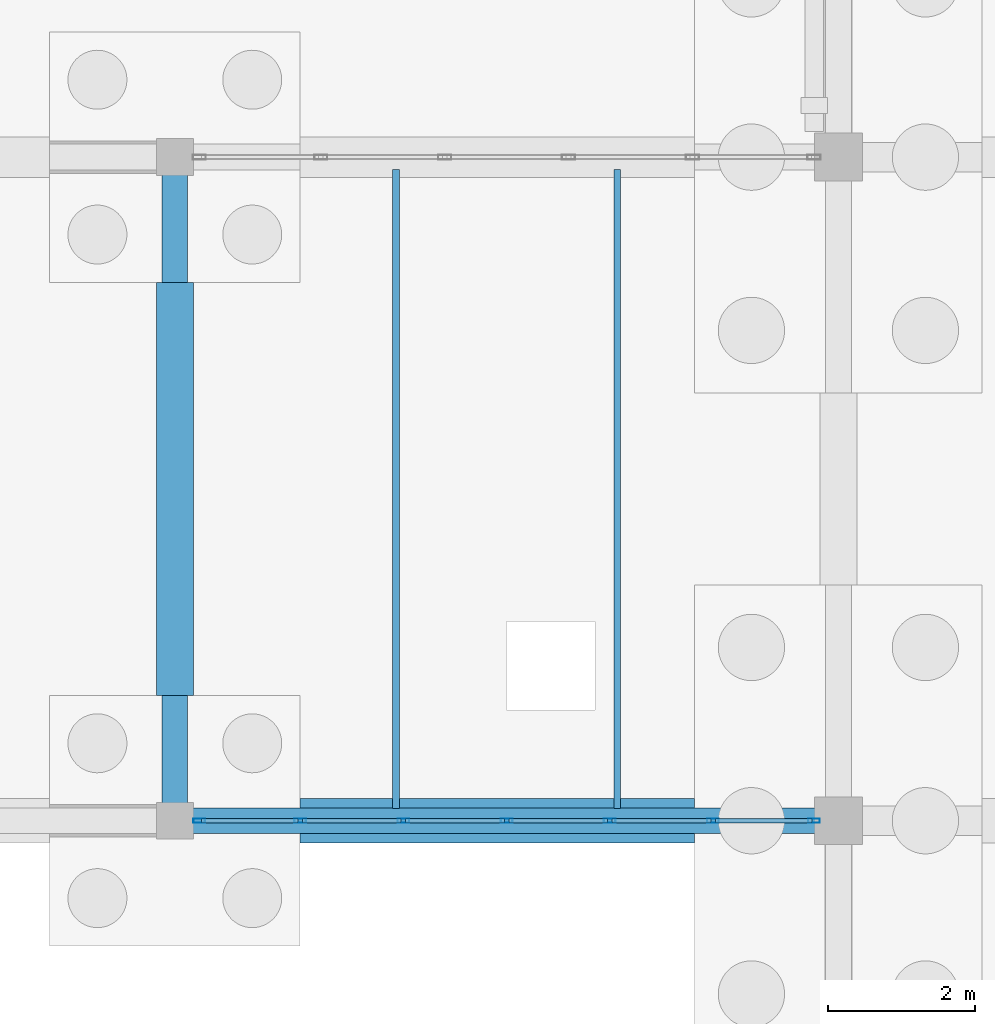
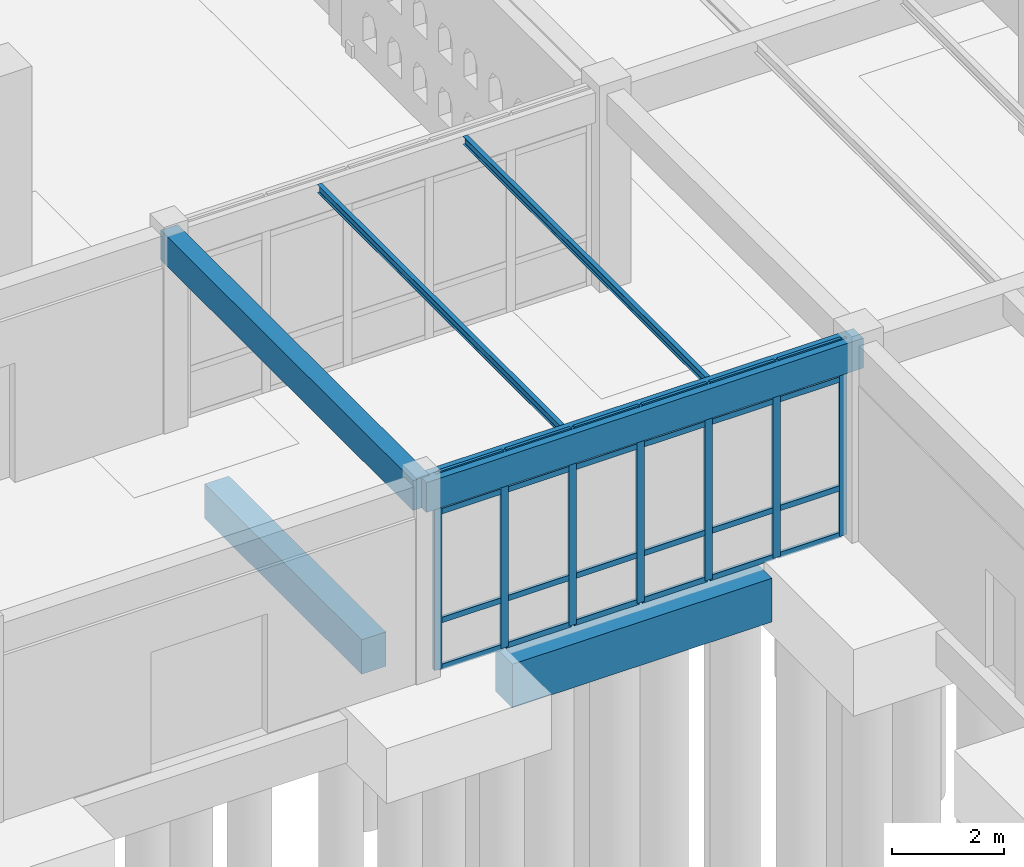
# One storey, part 110 of 186: 31 members, 6 beams, 1 element without a shape of its own.
"""IFC4 building model written with IfcOpenShell, lengths in metres."""

from ifc_helpers import new_model, si_unit, direction, frame, origin, origin_2d, place, context, subcontext, project, spatial, rectangle, hollow_rectangle, i_section, extrude, material, layer, layer_set, material_profile, profile_set, type_object, element, aggregate, save


model = new_model("IFC4")

# Units and contexts
model_context = context("Model", 3, precision=1e-05, world=origin(), true_north=direction((0.0, 1.0)))
body_context = subcontext(model_context, "Body", "Model", "MODEL_VIEW")
ifc_project = project(units=[si_unit("LENGTHUNIT", "METRE"), si_unit("AREAUNIT", "SQUARE_METRE"), si_unit("VOLUMEUNIT", "CUBIC_METRE"), si_unit("PLANEANGLEUNIT", "RADIAN"), si_unit("MASSUNIT", "GRAM", prefix="KILO")], contexts=[model_context])

# Site, building, storey
site_placement = place(None, origin())
site = spatial("IfcSite", under=ifc_project, at=site_placement, CompositionType="ELEMENT")
building_placement = place(site_placement, origin())
building = spatial("IfcBuilding", under=site, at=building_placement, Name="Ornek Quay Market", CompositionType="ELEMENT")
storey_placement = place(building_placement, origin())
storey = spatial("IfcBuildingStorey", under=building, at=storey_placement, Name="L00", CompositionType="ELEMENT", Elevation=0.0)

# Beams
ifc_material_1 = material(Name="Concrete C35/45", Category="concrete")
ifc_material_profile_1 = material_profile(ifc_material_1, rectangle(XDim=0.35009765625, YDim=0.64990234375, at=origin_2d()), Name="RC 350x650", Category="concrete")
ifc_profile_set_1 = profile_set([ifc_material_profile_1], Name="Concrete C35/45")
beam_type_1 = type_object("IfcBeamType", Name="BM-CONC-350x650", PredefinedType="BEAM", material=ifc_profile_set_1)
for number, where, z_axis, x_axis, name in (
    (1, (144.0, 20.0, 3.945068359375), (1.0, 0.0, 0.0), (0.0, 1.0, 0.0), "Primary beam B-CN1-089"),
    (2, (144.0, 20.0, 3.945068359375), (0.0, 1.0, 0.0), (-1.0, 0.0, 0.0), "Primary beam B-CN1-095"),
):
    element("IfcBeam", number, at=place(storey_placement, frame(where, z_axis=z_axis, x_axis=x_axis)), inside=storey, type_object=beam_type_1, Name=name, PredefinedType="BEAM", context=body_context, shape_type="SweptSolid", body=[
        extrude(rectangle(XDim=0.35009765625, YDim=0.64990234375, at=origin_2d()), origin(), (0.0, 0.0, 1.0), 9.0),
    ])
ifc_material_profile_2 = material_profile(ifc_material_1, rectangle(XDim=0.5, YDim=0.75, at=origin_2d()), Name="RC 500x750", Category="concrete")
ifc_profile_set_2 = profile_set([ifc_material_profile_2], Name="Concrete C35/45")
beam_type_2 = type_object("IfcBeamType", Name="BM-GB-500x750", PredefinedType="BEAM", material=ifc_profile_set_2)
beam_1_placement = place(storey_placement, frame((144.0, 21.699951171875, -0.574951171875), z_axis=(0.0, 1.0, 0.0), x_axis=(-1.0, 0.0, 0.0)))
element("IfcBeam", 3, at=beam_1_placement, inside=storey, type_object=beam_type_2, Name="Ground tie beam GB-384", PredefinedType="BEAM", context=body_context, shape_type="SweptSolid", body=[
    extrude(rectangle(XDim=0.5, YDim=0.75, at=origin_2d()), origin(), (0.0, 0.0, 1.0), 5.60009765625),
])
ifc_material_profile_3 = material_profile(ifc_material_1, rectangle(XDim=0.60009765625, YDim=0.949951171875, at=origin_2d()), Name="RC 600x950", Category="concrete")
ifc_profile_set_3 = profile_set([ifc_material_profile_3], Name="Concrete C35/45")
beam_type_3 = type_object("IfcBeamType", Name="BM-GB-600x950", PredefinedType="BEAM", material=ifc_profile_set_3)
beam_2_placement = place(storey_placement, frame((145.699951171875, 20.0, -0.675048828125), z_axis=(1.0, 0.0, 0.0), x_axis=(0.0, 1.0, 0.0)))
element("IfcBeam", 4, at=beam_2_placement, inside=storey, type_object=beam_type_3, Name="Ground tie beam GB-309", PredefinedType="BEAM", context=body_context, shape_type="SweptSolid", body=[
    extrude(rectangle(XDim=0.60009765625, YDim=0.949951171875, at=origin_2d()), origin(), (0.0, 0.0, 1.0), 5.35009765625),
])
ifc_material_2 = material(Name="Steel S355", Category="steel")
ifc_material_profile_4 = material_profile(ifc_material_2, i_section(OverallWidth=0.091064453125, OverallDepth=0.179931640625, WebThickness=0.00537109375, FlangeThickness=0.008056640625, FilletRadius=0.009033203125, at=origin_2d()), Name="IPE 180", Category="steel")
ifc_profile_set_4 = profile_set([ifc_material_profile_4], Name="Steel S355")
beam_type_4 = type_object("IfcBeamType", Name="BM-STL-IPE180", PredefinedType="JOIST", material=ifc_profile_set_4)
for number, where, z_axis, x_axis, name in (
    (5, (147.0, 20.1669921875, 4.179931640625), (0.0, 1.0, 0.0), (-1.0, 0.0, 0.0), "Secondary joist SB-01-015"),
    (6, (150.0, 20.1669921875, 4.179931640625), (0.0, 1.0, 0.0), (-1.0, 0.0, 0.0), "Secondary joist SB-01-016"),
):
    element("IfcBeam", number, at=place(storey_placement, frame(where, z_axis=z_axis, x_axis=x_axis)), inside=storey, type_object=beam_type_4, Name=name, PredefinedType="JOIST", context=body_context, shape_type="SweptSolid", body=[
        extrude(i_section(OverallWidth=0.091064453125, OverallDepth=0.179931640625, WebThickness=0.00537109375, FlangeThickness=0.008056640625, FilletRadius=0.009033203125, at=origin_2d()), origin(), (0.0, 0.0, 1.0), 8.666015625),
    ])

# Curtain wall, members
ifc_material_3 = material(Name="Anodised bronze aluminium and triple low-e glass", Category="aluminium")
ifc_layer = layer(ifc_material_3, 0.179931640625, Name="Anodised bronze aluminium and triple low-e glass", Category="aluminium")
ifc_layer_set = layer_set([ifc_layer], Name="Anodised bronze aluminium and triple low-e glass")
curtain_wall_type = type_object("IfcCurtainWallType", Name="CW-CONC-MOD1500", PredefinedType="USERDEFINED", material=ifc_layer_set)
curtain_wall_placement = place(storey_placement, origin())
curtain_wall = element("IfcCurtainWall", 7, at=curtain_wall_placement, inside=storey, type_object=curtain_wall_type, Name="Curtain wall CW-032", ObjectType="CURTAIN WALL", PredefinedType="USERDEFINED")
ifc_material_4 = material(Name="Anodised aluminium 6063-T6", Category="aluminium")
ifc_material_profile_5 = material_profile(ifc_material_4, hollow_rectangle(XDim=0.06005859375, YDim=0.159912109375, WallThickness=0.00390625, at=origin_2d()), Name="CW-MUL-60x160", Category="aluminium")
ifc_profile_set_5 = profile_set([ifc_material_profile_5], Name="Anodised aluminium 6063-T6")
member_type_1 = type_object("IfcMemberType", Name="CW-MUL-60x160", PredefinedType="MULLION", material=ifc_profile_set_5)
member_1_placement = place(storey_placement, frame((144.330078125, 20.0, 0.0), z_axis=(0.0, 0.0, 1.0), x_axis=(0.0, 1.0, 0.0)))
member_1 = element("IfcMember", 8, at=member_1_placement, type_object=member_type_1, Name="CW-032 mullion 1", PredefinedType="MULLION", context=body_context, shape_type="SweptSolid", body=[
    extrude(hollow_rectangle(XDim=0.06005859375, YDim=0.159912109375, WallThickness=0.00390625, at=origin_2d()), origin(), (0.0, 0.0, 1.0), 4.27001953125),
])
member_2_placement = place(storey_placement, frame((145.699951171875, 20.0, 0.0), z_axis=(0.0, 0.0, 1.0), x_axis=(0.0, 1.0, 0.0)))
member_2 = element("IfcMember", 9, at=member_2_placement, type_object=member_type_1, Name="CW-032 mullion 2", PredefinedType="MULLION", context=body_context, shape_type="SweptSolid", body=[
    extrude(hollow_rectangle(XDim=0.06005859375, YDim=0.159912109375, WallThickness=0.00390625, at=origin_2d()), origin(), (0.0, 0.0, 1.0), 4.27001953125),
])
member_3_placement = place(storey_placement, frame((147.10009765625, 20.0, 0.0), z_axis=(0.0, 0.0, 1.0), x_axis=(0.0, 1.0, 0.0)))
member_3 = element("IfcMember", 10, at=member_3_placement, type_object=member_type_1, Name="CW-032 mullion 3", PredefinedType="MULLION", context=body_context, shape_type="SweptSolid", body=[
    extrude(hollow_rectangle(XDim=0.06005859375, YDim=0.159912109375, WallThickness=0.00390625, at=origin_2d()), origin(), (0.0, 0.0, 1.0), 4.27001953125),
])
member_4_placement = place(storey_placement, frame((148.5, 20.0, 0.0), z_axis=(0.0, 0.0, 1.0), x_axis=(0.0, 1.0, 0.0)))
member_4 = element("IfcMember", 11, at=member_4_placement, type_object=member_type_1, Name="CW-032 mullion 4", PredefinedType="MULLION", context=body_context, shape_type="SweptSolid", body=[
    extrude(hollow_rectangle(XDim=0.06005859375, YDim=0.159912109375, WallThickness=0.00390625, at=origin_2d()), origin(), (0.0, 0.0, 1.0), 4.27001953125),
])
member_5_placement = place(storey_placement, frame((149.89990234375, 20.0, 0.0), z_axis=(0.0, 0.0, 1.0), x_axis=(0.0, 1.0, 0.0)))
member_5 = element("IfcMember", 12, at=member_5_placement, type_object=member_type_1, Name="CW-032 mullion 5", PredefinedType="MULLION", context=body_context, shape_type="SweptSolid", body=[
    extrude(hollow_rectangle(XDim=0.06005859375, YDim=0.159912109375, WallThickness=0.00390625, at=origin_2d()), origin(), (0.0, 0.0, 1.0), 4.27001953125),
])
member_6_placement = place(storey_placement, frame((151.300048828125, 20.0, 0.0), z_axis=(0.0, 0.0, 1.0), x_axis=(0.0, 1.0, 0.0)))
member_6 = element("IfcMember", 13, at=member_6_placement, type_object=member_type_1, Name="CW-032 mullion 6", PredefinedType="MULLION", context=body_context, shape_type="SweptSolid", body=[
    extrude(hollow_rectangle(XDim=0.06005859375, YDim=0.159912109375, WallThickness=0.00390625, at=origin_2d()), origin(), (0.0, 0.0, 1.0), 4.27001953125),
])
member_7_placement = place(storey_placement, frame((152.669921875, 20.0, 0.0), z_axis=(0.0, 0.0, 1.0), x_axis=(0.0, 1.0, 0.0)))
member_7 = element("IfcMember", 14, at=member_7_placement, type_object=member_type_1, Name="CW-032 mullion 7", PredefinedType="MULLION", context=body_context, shape_type="SweptSolid", body=[
    extrude(hollow_rectangle(XDim=0.06005859375, YDim=0.159912109375, WallThickness=0.00390625, at=origin_2d()), origin(), (0.0, 0.0, 1.0), 4.27001953125),
])
ifc_material_profile_6 = material_profile(ifc_material_4, hollow_rectangle(XDim=0.06005859375, YDim=0.1201171875, WallThickness=0.00390625, at=origin_2d()), Name="CW-TRN-60x120", Category="aluminium")
ifc_profile_set_6 = profile_set([ifc_material_profile_6], Name="Anodised aluminium 6063-T6")
member_type_2 = type_object("IfcMemberType", Name="CW-TRN-60x120", PredefinedType="USERDEFINED", material=ifc_profile_set_6)
member_8_placement = place(storey_placement, frame((144.360107421875, 20.0, 0.030029296875), z_axis=(1.0, 0.0, 0.0), x_axis=(0.0, 1.0, 0.0)))
member_8 = element("IfcMember", 15, at=member_8_placement, type_object=member_type_2, Name="CW-032 transom 1.1", ObjectType="TRANSOM", PredefinedType="USERDEFINED", context=body_context, shape_type="SweptSolid", body=[
    extrude(hollow_rectangle(XDim=0.06005859375, YDim=0.1201171875, WallThickness=0.00390625, at=origin_2d()), origin(), (0.0, 0.0, 1.0), 1.309814453125),
])
member_9_placement = place(storey_placement, frame((144.360107421875, 20.0, 1.050048828125), z_axis=(1.0, 0.0, 0.0), x_axis=(0.0, 1.0, 0.0)))
member_9 = element("IfcMember", 16, at=member_9_placement, type_object=member_type_2, Name="CW-032 transom 1.2", ObjectType="TRANSOM", PredefinedType="USERDEFINED", context=body_context, shape_type="SweptSolid", body=[
    extrude(hollow_rectangle(XDim=0.06005859375, YDim=0.1201171875, WallThickness=0.00390625, at=origin_2d()), origin(), (0.0, 0.0, 1.0), 1.309814453125),
])
member_10_placement = place(storey_placement, frame((144.360107421875, 20.0, 3.419921875), z_axis=(1.0, 0.0, 0.0), x_axis=(0.0, 1.0, 0.0)))
member_10 = element("IfcMember", 17, at=member_10_placement, type_object=member_type_2, Name="CW-032 transom 1.3", ObjectType="TRANSOM", PredefinedType="USERDEFINED", context=body_context, shape_type="SweptSolid", body=[
    extrude(hollow_rectangle(XDim=0.06005859375, YDim=0.1201171875, WallThickness=0.00390625, at=origin_2d()), origin(), (0.0, 0.0, 1.0), 1.309814453125),
])
member_11_placement = place(storey_placement, frame((144.360107421875, 20.0, 4.239990234375), z_axis=(1.0, 0.0, 0.0), x_axis=(0.0, 1.0, 0.0)))
member_11 = element("IfcMember", 18, at=member_11_placement, type_object=member_type_2, Name="CW-032 transom 1.4", ObjectType="TRANSOM", PredefinedType="USERDEFINED", context=body_context, shape_type="SweptSolid", body=[
    extrude(hollow_rectangle(XDim=0.06005859375, YDim=0.1201171875, WallThickness=0.00390625, at=origin_2d()), origin(), (0.0, 0.0, 1.0), 1.309814453125),
])
member_12_placement = place(storey_placement, frame((145.72998046875, 20.0, 0.030029296875), z_axis=(1.0, 0.0, 0.0), x_axis=(0.0, 1.0, 0.0)))
member_12 = element("IfcMember", 19, at=member_12_placement, type_object=member_type_2, Name="CW-032 transom 2.1", ObjectType="TRANSOM", PredefinedType="USERDEFINED", context=body_context, shape_type="SweptSolid", body=[
    extrude(hollow_rectangle(XDim=0.06005859375, YDim=0.1201171875, WallThickness=0.00390625, at=origin_2d()), origin(), (0.0, 0.0, 1.0), 1.340087890625),
])
member_13_placement = place(storey_placement, frame((145.72998046875, 20.0, 1.050048828125), z_axis=(1.0, 0.0, 0.0), x_axis=(0.0, 1.0, 0.0)))
member_13 = element("IfcMember", 20, at=member_13_placement, type_object=member_type_2, Name="CW-032 transom 2.2", ObjectType="TRANSOM", PredefinedType="USERDEFINED", context=body_context, shape_type="SweptSolid", body=[
    extrude(hollow_rectangle(XDim=0.06005859375, YDim=0.1201171875, WallThickness=0.00390625, at=origin_2d()), origin(), (0.0, 0.0, 1.0), 1.340087890625),
])
member_14_placement = place(storey_placement, frame((145.72998046875, 20.0, 3.419921875), z_axis=(1.0, 0.0, 0.0), x_axis=(0.0, 1.0, 0.0)))
member_14 = element("IfcMember", 21, at=member_14_placement, type_object=member_type_2, Name="CW-032 transom 2.3", ObjectType="TRANSOM", PredefinedType="USERDEFINED", context=body_context, shape_type="SweptSolid", body=[
    extrude(hollow_rectangle(XDim=0.06005859375, YDim=0.1201171875, WallThickness=0.00390625, at=origin_2d()), origin(), (0.0, 0.0, 1.0), 1.340087890625),
])
member_15_placement = place(storey_placement, frame((145.72998046875, 20.0, 4.239990234375), z_axis=(1.0, 0.0, 0.0), x_axis=(0.0, 1.0, 0.0)))
member_15 = element("IfcMember", 22, at=member_15_placement, type_object=member_type_2, Name="CW-032 transom 2.4", ObjectType="TRANSOM", PredefinedType="USERDEFINED", context=body_context, shape_type="SweptSolid", body=[
    extrude(hollow_rectangle(XDim=0.06005859375, YDim=0.1201171875, WallThickness=0.00390625, at=origin_2d()), origin(), (0.0, 0.0, 1.0), 1.340087890625),
])
member_16_placement = place(storey_placement, frame((147.1298828125, 20.0, 0.030029296875), z_axis=(1.0, 0.0, 0.0), x_axis=(0.0, 1.0, 0.0)))
member_16 = element("IfcMember", 23, at=member_16_placement, type_object=member_type_2, Name="CW-032 transom 3.1", ObjectType="TRANSOM", PredefinedType="USERDEFINED", context=body_context, shape_type="SweptSolid", body=[
    extrude(hollow_rectangle(XDim=0.06005859375, YDim=0.1201171875, WallThickness=0.00390625, at=origin_2d()), origin(), (0.0, 0.0, 1.0), 1.340087890625),
])
member_17_placement = place(storey_placement, frame((147.1298828125, 20.0, 1.050048828125), z_axis=(1.0, 0.0, 0.0), x_axis=(0.0, 1.0, 0.0)))
member_17 = element("IfcMember", 24, at=member_17_placement, type_object=member_type_2, Name="CW-032 transom 3.2", ObjectType="TRANSOM", PredefinedType="USERDEFINED", context=body_context, shape_type="SweptSolid", body=[
    extrude(hollow_rectangle(XDim=0.06005859375, YDim=0.1201171875, WallThickness=0.00390625, at=origin_2d()), origin(), (0.0, 0.0, 1.0), 1.340087890625),
])
member_18_placement = place(storey_placement, frame((147.1298828125, 20.0, 3.419921875), z_axis=(1.0, 0.0, 0.0), x_axis=(0.0, 1.0, 0.0)))
member_18 = element("IfcMember", 25, at=member_18_placement, type_object=member_type_2, Name="CW-032 transom 3.3", ObjectType="TRANSOM", PredefinedType="USERDEFINED", context=body_context, shape_type="SweptSolid", body=[
    extrude(hollow_rectangle(XDim=0.06005859375, YDim=0.1201171875, WallThickness=0.00390625, at=origin_2d()), origin(), (0.0, 0.0, 1.0), 1.340087890625),
])
member_19_placement = place(storey_placement, frame((147.1298828125, 20.0, 4.239990234375), z_axis=(1.0, 0.0, 0.0), x_axis=(0.0, 1.0, 0.0)))
member_19 = element("IfcMember", 26, at=member_19_placement, type_object=member_type_2, Name="CW-032 transom 3.4", ObjectType="TRANSOM", PredefinedType="USERDEFINED", context=body_context, shape_type="SweptSolid", body=[
    extrude(hollow_rectangle(XDim=0.06005859375, YDim=0.1201171875, WallThickness=0.00390625, at=origin_2d()), origin(), (0.0, 0.0, 1.0), 1.340087890625),
])
member_20_placement = place(storey_placement, frame((148.530029296875, 20.0, 0.030029296875), z_axis=(1.0, 0.0, 0.0), x_axis=(0.0, 1.0, 0.0)))
member_20 = element("IfcMember", 27, at=member_20_placement, type_object=member_type_2, Name="CW-032 transom 4.1", ObjectType="TRANSOM", PredefinedType="USERDEFINED", context=body_context, shape_type="SweptSolid", body=[
    extrude(hollow_rectangle(XDim=0.06005859375, YDim=0.1201171875, WallThickness=0.00390625, at=origin_2d()), origin(), (0.0, 0.0, 1.0), 1.340087890625),
])
member_21_placement = place(storey_placement, frame((148.530029296875, 20.0, 1.050048828125), z_axis=(1.0, 0.0, 0.0), x_axis=(0.0, 1.0, 0.0)))
member_21 = element("IfcMember", 28, at=member_21_placement, type_object=member_type_2, Name="CW-032 transom 4.2", ObjectType="TRANSOM", PredefinedType="USERDEFINED", context=body_context, shape_type="SweptSolid", body=[
    extrude(hollow_rectangle(XDim=0.06005859375, YDim=0.1201171875, WallThickness=0.00390625, at=origin_2d()), origin(), (0.0, 0.0, 1.0), 1.340087890625),
])
member_22_placement = place(storey_placement, frame((148.530029296875, 20.0, 3.419921875), z_axis=(1.0, 0.0, 0.0), x_axis=(0.0, 1.0, 0.0)))
member_22 = element("IfcMember", 29, at=member_22_placement, type_object=member_type_2, Name="CW-032 transom 4.3", ObjectType="TRANSOM", PredefinedType="USERDEFINED", context=body_context, shape_type="SweptSolid", body=[
    extrude(hollow_rectangle(XDim=0.06005859375, YDim=0.1201171875, WallThickness=0.00390625, at=origin_2d()), origin(), (0.0, 0.0, 1.0), 1.340087890625),
])
member_23_placement = place(storey_placement, frame((148.530029296875, 20.0, 4.239990234375), z_axis=(1.0, 0.0, 0.0), x_axis=(0.0, 1.0, 0.0)))
member_23 = element("IfcMember", 30, at=member_23_placement, type_object=member_type_2, Name="CW-032 transom 4.4", ObjectType="TRANSOM", PredefinedType="USERDEFINED", context=body_context, shape_type="SweptSolid", body=[
    extrude(hollow_rectangle(XDim=0.06005859375, YDim=0.1201171875, WallThickness=0.00390625, at=origin_2d()), origin(), (0.0, 0.0, 1.0), 1.340087890625),
])
member_24_placement = place(storey_placement, frame((149.929931640625, 20.0, 0.030029296875), z_axis=(1.0, 0.0, 0.0), x_axis=(0.0, 1.0, 0.0)))
member_24 = element("IfcMember", 31, at=member_24_placement, type_object=member_type_2, Name="CW-032 transom 5.1", ObjectType="TRANSOM", PredefinedType="USERDEFINED", context=body_context, shape_type="SweptSolid", body=[
    extrude(hollow_rectangle(XDim=0.06005859375, YDim=0.1201171875, WallThickness=0.00390625, at=origin_2d()), origin(), (0.0, 0.0, 1.0), 1.340087890625),
])
member_25_placement = place(storey_placement, frame((149.929931640625, 20.0, 1.050048828125), z_axis=(1.0, 0.0, 0.0), x_axis=(0.0, 1.0, 0.0)))
member_25 = element("IfcMember", 32, at=member_25_placement, type_object=member_type_2, Name="CW-032 transom 5.2", ObjectType="TRANSOM", PredefinedType="USERDEFINED", context=body_context, shape_type="SweptSolid", body=[
    extrude(hollow_rectangle(XDim=0.06005859375, YDim=0.1201171875, WallThickness=0.00390625, at=origin_2d()), origin(), (0.0, 0.0, 1.0), 1.340087890625),
])
member_26_placement = place(storey_placement, frame((149.929931640625, 20.0, 3.419921875), z_axis=(1.0, 0.0, 0.0), x_axis=(0.0, 1.0, 0.0)))
member_26 = element("IfcMember", 33, at=member_26_placement, type_object=member_type_2, Name="CW-032 transom 5.3", ObjectType="TRANSOM", PredefinedType="USERDEFINED", context=body_context, shape_type="SweptSolid", body=[
    extrude(hollow_rectangle(XDim=0.06005859375, YDim=0.1201171875, WallThickness=0.00390625, at=origin_2d()), origin(), (0.0, 0.0, 1.0), 1.340087890625),
])
member_27_placement = place(storey_placement, frame((149.929931640625, 20.0, 4.239990234375), z_axis=(1.0, 0.0, 0.0), x_axis=(0.0, 1.0, 0.0)))
member_27 = element("IfcMember", 34, at=member_27_placement, type_object=member_type_2, Name="CW-032 transom 5.4", ObjectType="TRANSOM", PredefinedType="USERDEFINED", context=body_context, shape_type="SweptSolid", body=[
    extrude(hollow_rectangle(XDim=0.06005859375, YDim=0.1201171875, WallThickness=0.00390625, at=origin_2d()), origin(), (0.0, 0.0, 1.0), 1.340087890625),
])
member_28_placement = place(storey_placement, frame((151.330078125, 20.0, 0.030029296875), z_axis=(1.0, 0.0, 0.0), x_axis=(0.0, 1.0, 0.0)))
member_28 = element("IfcMember", 35, at=member_28_placement, type_object=member_type_2, Name="CW-032 transom 6.1", ObjectType="TRANSOM", PredefinedType="USERDEFINED", context=body_context, shape_type="SweptSolid", body=[
    extrude(hollow_rectangle(XDim=0.06005859375, YDim=0.1201171875, WallThickness=0.00390625, at=origin_2d()), origin(), (0.0, 0.0, 1.0), 1.309814453125),
])
member_29_placement = place(storey_placement, frame((151.330078125, 20.0, 1.050048828125), z_axis=(1.0, 0.0, 0.0), x_axis=(0.0, 1.0, 0.0)))
member_29 = element("IfcMember", 36, at=member_29_placement, type_object=member_type_2, Name="CW-032 transom 6.2", ObjectType="TRANSOM", PredefinedType="USERDEFINED", context=body_context, shape_type="SweptSolid", body=[
    extrude(hollow_rectangle(XDim=0.06005859375, YDim=0.1201171875, WallThickness=0.00390625, at=origin_2d()), origin(), (0.0, 0.0, 1.0), 1.309814453125),
])
member_30_placement = place(storey_placement, frame((151.330078125, 20.0, 3.419921875), z_axis=(1.0, 0.0, 0.0), x_axis=(0.0, 1.0, 0.0)))
member_30 = element("IfcMember", 37, at=member_30_placement, type_object=member_type_2, Name="CW-032 transom 6.3", ObjectType="TRANSOM", PredefinedType="USERDEFINED", context=body_context, shape_type="SweptSolid", body=[
    extrude(hollow_rectangle(XDim=0.06005859375, YDim=0.1201171875, WallThickness=0.00390625, at=origin_2d()), origin(), (0.0, 0.0, 1.0), 1.309814453125),
])
member_31_placement = place(storey_placement, frame((151.330078125, 20.0, 4.239990234375), z_axis=(1.0, 0.0, 0.0), x_axis=(0.0, 1.0, 0.0)))
member_31 = element("IfcMember", 38, at=member_31_placement, type_object=member_type_2, Name="CW-032 transom 6.4", ObjectType="TRANSOM", PredefinedType="USERDEFINED", context=body_context, shape_type="SweptSolid", body=[
    extrude(hollow_rectangle(XDim=0.06005859375, YDim=0.1201171875, WallThickness=0.00390625, at=origin_2d()), origin(), (0.0, 0.0, 1.0), 1.309814453125),
])
aggregate(curtain_wall, [member_1, member_2, member_3, member_4, member_5, member_6, member_7, member_8, member_9, member_10, member_11, member_12, member_13, member_14, member_15, member_16, member_17, member_18, member_19, member_20, member_21, member_22, member_23, member_24, member_25, member_26, member_27, member_28, member_29, member_30, member_31])

save(model, "model.ifc")
